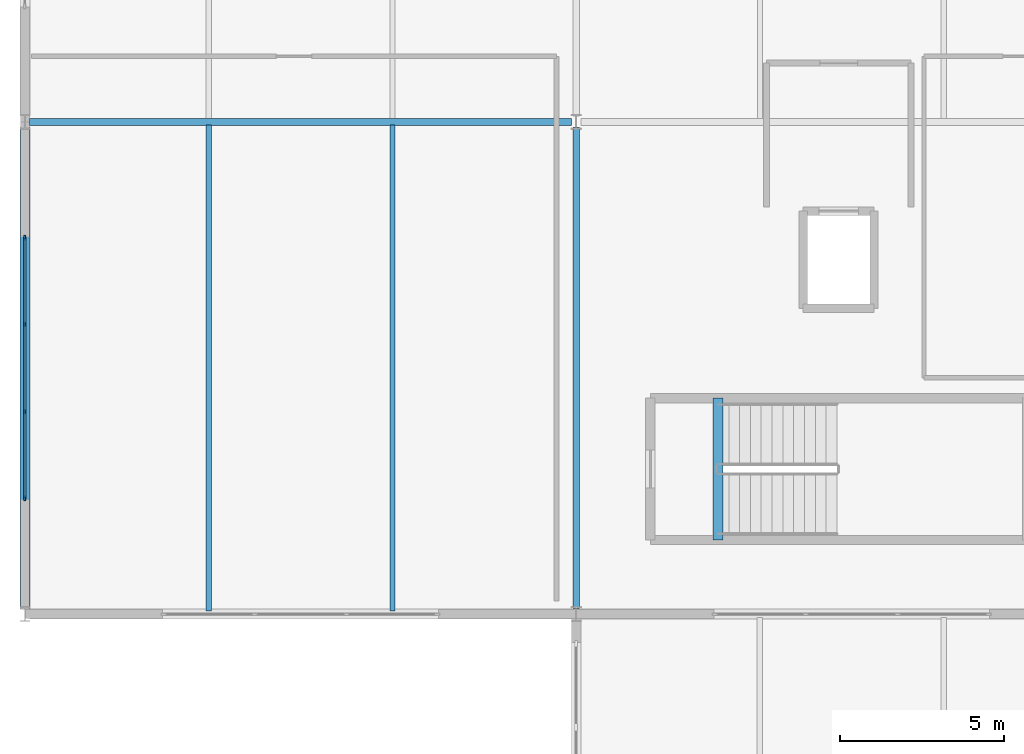
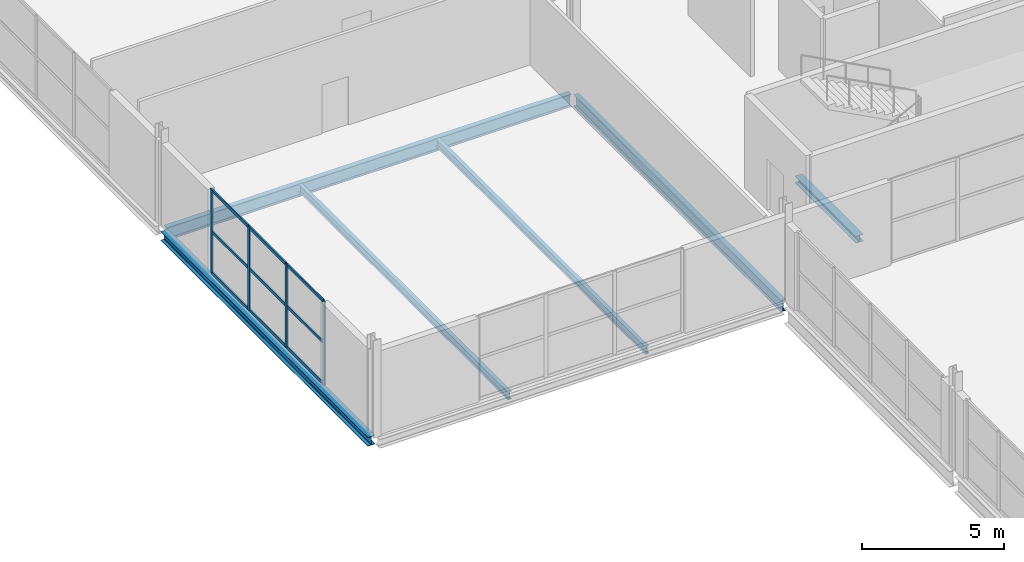
# One storey, part 12 of 39: 13 members, 6 beams, 1 element without a shape of its own.
"""IFC4 building model written with IfcOpenShell, lengths in metres."""

from ifc_helpers import new_model, si_unit, direction, frame, origin, origin_2d, place, context, subcontext, project, spatial, rectangle, i_section, extrude, material, material_profile, profile_set, type_object, element, aggregate, save


model = new_model("IFC4")

# Units and contexts
model_context = context("Model", 3, precision=1e-05, world=origin(), true_north=direction((0.0, 1.0)))
body_context = subcontext(model_context, "Body", "Model", "MODEL_VIEW")
ifc_project = project(units=[si_unit("LENGTHUNIT", "METRE"), si_unit("AREAUNIT", "SQUARE_METRE"), si_unit("VOLUMEUNIT", "CUBIC_METRE"), si_unit("PLANEANGLEUNIT", "RADIAN"), si_unit("MASSUNIT", "GRAM", prefix="KILO")], contexts=[model_context])

# Site, building, storey
site_placement = place(None, origin())
site = spatial("IfcSite", under=ifc_project, at=site_placement, CompositionType="ELEMENT")
building_placement = place(site_placement, origin())
building = spatial("IfcBuilding", under=site, at=building_placement, Name="Kimbaza Rail Terminus", CompositionType="ELEMENT")
storey_placement = place(building_placement, frame((0.0, 0.0, 16.800048828125)))
storey = spatial("IfcBuildingStorey", under=building, at=storey_placement, Name="L03", CompositionType="ELEMENT", Elevation=16.800048828125)

# Curtain wall, members
ifc_material_1 = material(Name="Anodised aluminium framing and solar low-E glazing", Category="aluminium")
curtain_wall_type = type_object("IfcCurtainWallType", Name="ARC-CW-OP2", PredefinedType="USERDEFINED", material=ifc_material_1)
curtain_wall_placement = place(storey_placement, origin())
curtain_wall = element("IfcCurtainWall", 1, at=curtain_wall_placement, inside=storey, type_object=curtain_wall_type, Name="Operations W Curtain Wall L03.1", ObjectType="STICK CURTAIN WALL", PredefinedType="USERDEFINED")
ifc_material_2 = material(Name="Anodised architectural aluminium", Category="aluminium")
ifc_material_profile_1 = material_profile(ifc_material_2, rectangle(XDim=0.05810546875, YDim=0.14990234375, at=origin_2d()), Name="MULLION 58x150")
ifc_profile_set_1 = profile_set([ifc_material_profile_1], Name="Anodised architectural aluminium")
member_type_1 = type_object("IfcMemberType", Name="ARC-CWM-06", PredefinedType="MULLION", material=ifc_profile_set_1)
member_1_placement = place(storey_placement, frame((55.199951171875, 106.529052734375, 0.0), z_axis=(0.0, 0.0, 1.0), x_axis=(-1.0, 0.0, 0.0)))
member_1 = element("IfcMember", 2, at=member_1_placement, type_object=member_type_1, Name="CW-06 mullion 1", PredefinedType="MULLION", context=body_context, shape_type="SweptSolid", body=[
    extrude(rectangle(XDim=0.05810546875, YDim=0.14990234375, at=origin_2d()), origin(), (0.0, 0.0, 1.0), 3.60498046875),
])
member_2_placement = place(storey_placement, frame((55.199951171875, 109.166748046875, 0.0), z_axis=(0.0, 0.0, 1.0), x_axis=(-1.0, 0.0, 0.0)))
member_2 = element("IfcMember", 3, at=member_2_placement, type_object=member_type_1, Name="CW-06 mullion 2", PredefinedType="MULLION", context=body_context, shape_type="SweptSolid", body=[
    extrude(rectangle(XDim=0.05810546875, YDim=0.14990234375, at=origin_2d()), origin(), (0.0, 0.0, 1.0), 3.60498046875),
])
member_3_placement = place(storey_placement, frame((55.199951171875, 111.833251953125, 0.0), z_axis=(0.0, 0.0, 1.0), x_axis=(-1.0, 0.0, 0.0)))
member_3 = element("IfcMember", 4, at=member_3_placement, type_object=member_type_1, Name="CW-06 mullion 3", PredefinedType="MULLION", context=body_context, shape_type="SweptSolid", body=[
    extrude(rectangle(XDim=0.05810546875, YDim=0.14990234375, at=origin_2d()), origin(), (0.0, 0.0, 1.0), 3.60498046875),
])
member_4_placement = place(storey_placement, frame((55.199951171875, 114.470947265625, 0.0), z_axis=(0.0, 0.0, 1.0), x_axis=(-1.0, 0.0, 0.0)))
member_4 = element("IfcMember", 5, at=member_4_placement, type_object=member_type_1, Name="CW-06 mullion 4", PredefinedType="MULLION", context=body_context, shape_type="SweptSolid", body=[
    extrude(rectangle(XDim=0.05810546875, YDim=0.14990234375, at=origin_2d()), origin(), (0.0, 0.0, 1.0), 3.60498046875),
])
ifc_material_3 = material(Name="Anodised architectural aluminium", Category="aluminium")
ifc_material_profile_2 = material_profile(ifc_material_3, rectangle(XDim=0.05810546875, YDim=0.125, at=origin_2d()), Name="TRANSOM 58x125")
ifc_profile_set_2 = profile_set([ifc_material_profile_2], Name="Anodised architectural aluminium")
member_type_2 = type_object("IfcMemberType", Name="ARC-CWT-06", PredefinedType="USERDEFINED", material=ifc_profile_set_2)
member_5_placement = place(storey_placement, frame((55.199951171875, 106.55810546875, 0.029052734375), z_axis=(0.0, 1.0, 0.0), x_axis=(-1.0, 0.0, 0.0)))
member_5 = element("IfcMember", 6, at=member_5_placement, type_object=member_type_2, Name="CW-06 transom 1.1", ObjectType="TRANSOM", PredefinedType="USERDEFINED", context=body_context, shape_type="SweptSolid", body=[
    extrude(rectangle(XDim=0.05810546875, YDim=0.125, at=origin_2d()), origin(), (0.0, 0.0, 1.0), 2.57958984375),
])
member_6_placement = place(storey_placement, frame((55.199951171875, 106.55810546875, 1.802490234375), z_axis=(0.0, 1.0, 0.0), x_axis=(-1.0, 0.0, 0.0)))
member_6 = element("IfcMember", 7, at=member_6_placement, type_object=member_type_2, Name="CW-06 transom 1.2", ObjectType="TRANSOM", PredefinedType="USERDEFINED", context=body_context, shape_type="SweptSolid", body=[
    extrude(rectangle(XDim=0.05810546875, YDim=0.125, at=origin_2d()), origin(), (0.0, 0.0, 1.0), 2.57958984375),
])
member_7_placement = place(storey_placement, frame((55.199951171875, 106.55810546875, 3.575927734375), z_axis=(0.0, 1.0, 0.0), x_axis=(-1.0, 0.0, 0.0)))
member_7 = element("IfcMember", 8, at=member_7_placement, type_object=member_type_2, Name="CW-06 transom 1.3", ObjectType="TRANSOM", PredefinedType="USERDEFINED", context=body_context, shape_type="SweptSolid", body=[
    extrude(rectangle(XDim=0.05810546875, YDim=0.125, at=origin_2d()), origin(), (0.0, 0.0, 1.0), 2.57958984375),
])
member_8_placement = place(storey_placement, frame((55.199951171875, 109.195556640625, 0.029052734375), z_axis=(0.0, 1.0, 0.0), x_axis=(-1.0, 0.0, 0.0)))
member_8 = element("IfcMember", 9, at=member_8_placement, type_object=member_type_2, Name="CW-06 transom 2.1", ObjectType="TRANSOM", PredefinedType="USERDEFINED", context=body_context, shape_type="SweptSolid", body=[
    extrude(rectangle(XDim=0.05810546875, YDim=0.125, at=origin_2d()), origin(), (0.0, 0.0, 1.0), 2.60888671875),
])
member_9_placement = place(storey_placement, frame((55.199951171875, 109.195556640625, 1.802490234375), z_axis=(0.0, 1.0, 0.0), x_axis=(-1.0, 0.0, 0.0)))
member_9 = element("IfcMember", 10, at=member_9_placement, type_object=member_type_2, Name="CW-06 transom 2.2", ObjectType="TRANSOM", PredefinedType="USERDEFINED", context=body_context, shape_type="SweptSolid", body=[
    extrude(rectangle(XDim=0.05810546875, YDim=0.125, at=origin_2d()), origin(), (0.0, 0.0, 1.0), 2.60888671875),
])
member_10_placement = place(storey_placement, frame((55.199951171875, 109.195556640625, 3.575927734375), z_axis=(0.0, 1.0, 0.0), x_axis=(-1.0, 0.0, 0.0)))
member_10 = element("IfcMember", 11, at=member_10_placement, type_object=member_type_2, Name="CW-06 transom 2.3", ObjectType="TRANSOM", PredefinedType="USERDEFINED", context=body_context, shape_type="SweptSolid", body=[
    extrude(rectangle(XDim=0.05810546875, YDim=0.125, at=origin_2d()), origin(), (0.0, 0.0, 1.0), 2.60888671875),
])
member_11_placement = place(storey_placement, frame((55.199951171875, 111.8623046875, 0.029052734375), z_axis=(0.0, 1.0, 0.0), x_axis=(-1.0, 0.0, 0.0)))
member_11 = element("IfcMember", 12, at=member_11_placement, type_object=member_type_2, Name="CW-06 transom 3.1", ObjectType="TRANSOM", PredefinedType="USERDEFINED", context=body_context, shape_type="SweptSolid", body=[
    extrude(rectangle(XDim=0.05810546875, YDim=0.125, at=origin_2d()), origin(), (0.0, 0.0, 1.0), 2.57958984375),
])
member_12_placement = place(storey_placement, frame((55.199951171875, 111.8623046875, 1.802490234375), z_axis=(0.0, 1.0, 0.0), x_axis=(-1.0, 0.0, 0.0)))
member_12 = element("IfcMember", 13, at=member_12_placement, type_object=member_type_2, Name="CW-06 transom 3.2", ObjectType="TRANSOM", PredefinedType="USERDEFINED", context=body_context, shape_type="SweptSolid", body=[
    extrude(rectangle(XDim=0.05810546875, YDim=0.125, at=origin_2d()), origin(), (0.0, 0.0, 1.0), 2.57958984375),
])
member_13_placement = place(storey_placement, frame((55.199951171875, 111.8623046875, 3.575927734375), z_axis=(0.0, 1.0, 0.0), x_axis=(-1.0, 0.0, 0.0)))
member_13 = element("IfcMember", 14, at=member_13_placement, type_object=member_type_2, Name="CW-06 transom 3.3", ObjectType="TRANSOM", PredefinedType="USERDEFINED", context=body_context, shape_type="SweptSolid", body=[
    extrude(rectangle(XDim=0.05810546875, YDim=0.125, at=origin_2d()), origin(), (0.0, 0.0, 1.0), 2.57958984375),
])
aggregate(curtain_wall, [member_1, member_2, member_3, member_4, member_5, member_6, member_7, member_8, member_9, member_10, member_11, member_12, member_13])

# Beams
ifc_material_4 = material(Name="Steel S355", Category="steel")
ifc_material_profile_3 = material_profile(ifc_material_4, i_section(OverallWidth=0.300048828125, OverallDepth=0.2900390625, WebThickness=0.008544921875, FlangeThickness=0.013916015625, FilletRadius=0.027099609375, at=origin_2d()), Name="HEA 300")
ifc_profile_set_3 = profile_set([ifc_material_profile_3], Name="Steel S355")
beam_type_1 = type_object("IfcBeamType", Name="STR-BM-HEA300", PredefinedType="SPANDREL", material=ifc_profile_set_3)
beam_1_placement = place(storey_placement, frame((76.320068359375, 105.260009765625, -0.344970703125), z_axis=(0.0, 1.0, 0.0), x_axis=(-1.0, 0.0, 0.0)))
element("IfcBeam", 15, at=beam_1_placement, inside=storey, type_object=beam_type_1, Name="Operations West Exit Stair Landing Trimmer Beam L03", PredefinedType="SPANDREL", context=body_context, shape_type="SweptSolid", body=[
    extrude(i_section(OverallWidth=0.300048828125, OverallDepth=0.2900390625, WebThickness=0.008544921875, FlangeThickness=0.013916015625, FilletRadius=0.027099609375, at=origin_2d()), origin(), (0.0, 0.0, 1.0), 4.320068359375),
])
ifc_material_5 = material(Name="Steel S355", Category="steel")
ifc_material_profile_4 = material_profile(ifc_material_5, i_section(OverallWidth=0.300048828125, OverallDepth=0.389892578125, WebThickness=0.010986328125, FlangeThickness=0.01904296875, FilletRadius=0.027099609375, at=origin_2d()), Name="HEA 400")
ifc_profile_set_4 = profile_set([ifc_material_profile_4], Name="Steel S355")
beam_type_2 = type_object("IfcBeamType", Name="STR-BM-HEA400", PredefinedType="SPANDREL", material=ifc_profile_set_4)
beam_2_placement = place(storey_placement, frame((55.199951171875, 103.175048828125, -0.39501953125), z_axis=(0.0, 1.0, 0.0), x_axis=(-1.0, 0.0, 0.0)))
element("IfcBeam", 16, at=beam_2_placement, inside=storey, type_object=beam_type_2, Name="Operations Cross Girder L03 X0-Y0", PredefinedType="SPANDREL", context=body_context, shape_type="SweptSolid", body=[
    extrude(i_section(OverallWidth=0.300048828125, OverallDepth=0.389892578125, WebThickness=0.010986328125, FlangeThickness=0.01904296875, FilletRadius=0.027099609375, at=origin_2d()), origin(), (0.0, 0.0, 1.0), 14.64990234375),
])
ifc_material_6 = material(Name="Steel S355", Category="steel")
ifc_material_profile_5 = material_profile(ifc_material_6, i_section(OverallWidth=0.159912109375, OverallDepth=0.330078125, WebThickness=0.007568359375, FlangeThickness=0.011474609375, FilletRadius=0.01806640625, at=origin_2d()), Name="IPE 330")
ifc_profile_set_5 = profile_set([ifc_material_profile_5], Name="Steel S355")
beam_type_3 = type_object("IfcBeamType", Name="STR-BM-IPE330", PredefinedType="JOIST", material=ifc_profile_set_5)
for number, where, z_axis, x_axis, name in (
    (17, (60.800048828125, 103.10009765625, -0.364990234375), (0.0, 1.0, 0.0), (-1.0, 0.0, 0.0), "Operations Secondary Joist L03"),
    (18, (66.39990234375, 103.10009765625, -0.364990234375), (0.0, 1.0, 0.0), (-1.0, 0.0, 0.0), "Operations Secondary Joist L03"),
):
    element("IfcBeam", number, at=place(storey_placement, frame(where, z_axis=z_axis, x_axis=x_axis)), inside=storey, type_object=beam_type_3, Name=name, PredefinedType="JOIST", context=body_context, shape_type="SweptSolid", body=[
        extrude(i_section(OverallWidth=0.159912109375, OverallDepth=0.330078125, WebThickness=0.007568359375, FlangeThickness=0.011474609375, FilletRadius=0.01806640625, at=origin_2d()), origin(), (0.0, 0.0, 1.0), 14.7998046875),
    ])
ifc_material_7 = material(Name="Steel S355", Category="steel")
ifc_material_profile_6 = material_profile(ifc_material_7, i_section(OverallWidth=0.199951171875, OverallDepth=0.5, WebThickness=0.01025390625, FlangeThickness=0.01611328125, FilletRadius=0.02099609375, at=origin_2d()), Name="IPE 500")
ifc_profile_set_6 = profile_set([ifc_material_profile_6], Name="Steel S355")
beam_type_4 = type_object("IfcBeamType", Name="STR-BM-IPE500", PredefinedType="BEAM", material=ifc_profile_set_6)
beam_3_placement = place(storey_placement, frame((72.0, 103.175048828125, -0.449951171875), z_axis=(0.0, 1.0, 0.0), x_axis=(-1.0, 0.0, 0.0)))
element("IfcBeam", 19, at=beam_3_placement, inside=storey, type_object=beam_type_4, Name="Operations Cross Girder L03 X1-Y0", PredefinedType="BEAM", context=body_context, shape_type="SweptSolid", body=[
    extrude(i_section(OverallWidth=0.199951171875, OverallDepth=0.5, WebThickness=0.01025390625, FlangeThickness=0.01611328125, FilletRadius=0.02099609375, at=origin_2d()), origin(), (0.0, 0.0, 1.0), 14.64990234375),
])
ifc_material_8 = material(Name="Steel S355", Category="steel")
ifc_material_profile_7 = material_profile(ifc_material_8, i_section(OverallWidth=0.2099609375, OverallDepth=0.550048828125, WebThickness=0.010986328125, FlangeThickness=0.01708984375, FilletRadius=0.02392578125, at=origin_2d()), Name="IPE 550")
ifc_profile_set_7 = profile_set([ifc_material_profile_7], Name="Steel S355")
beam_type_5 = type_object("IfcBeamType", Name="STR-BM-IPE550", PredefinedType="BEAM", material=ifc_profile_set_7)
beam_4_placement = place(storey_placement, frame((55.345947265625, 118.0, -0.47509765625), z_axis=(1.0, 0.0, 0.0), x_axis=(0.0, 1.0, 0.0)))
element("IfcBeam", 20, at=beam_4_placement, inside=storey, type_object=beam_type_5, Name="Operations Girder L03 X0-Y1", PredefinedType="BEAM", context=body_context, shape_type="SweptSolid", body=[
    extrude(i_section(OverallWidth=0.2099609375, OverallDepth=0.550048828125, WebThickness=0.010986328125, FlangeThickness=0.01708984375, FilletRadius=0.02392578125, at=origin_2d()), origin(), (0.0, 0.0, 1.0), 16.508056640625),
])

save(model, "model.ifc")
